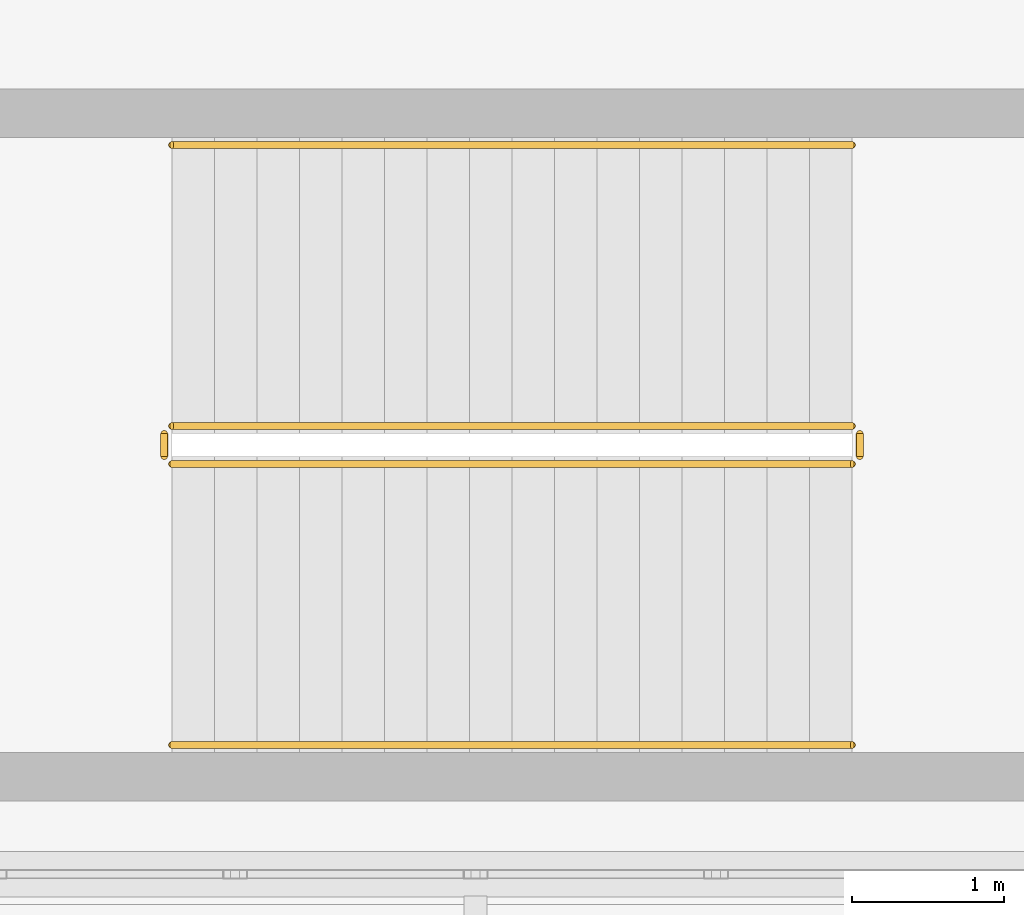
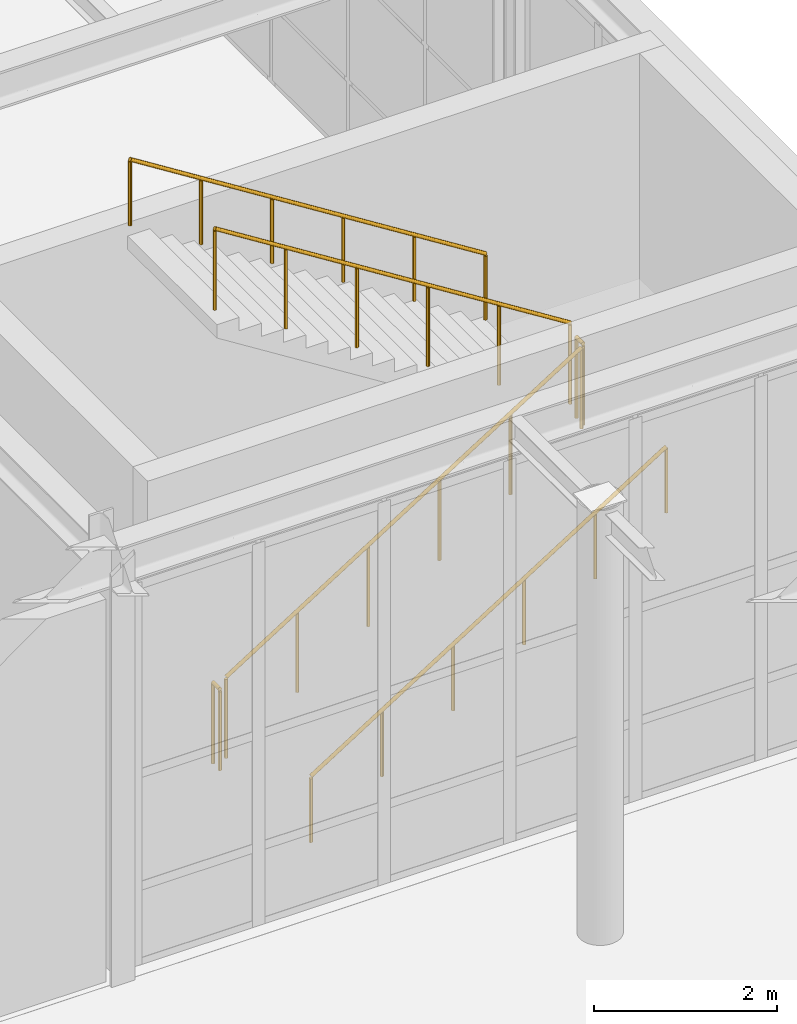
# One storey, part 141 of 146: 6 railings.
"""IFC4 building model written with IfcOpenShell, lengths in metres."""

from ifc_helpers import new_model, si_unit, direction, frame, origin, origin_2d, place, context, subcontext, project, spatial, circle, extrude, material, type_object, element, save


model = new_model("IFC4")

# Units and contexts
model_context = context("Model", 3, precision=1e-05, world=origin(), true_north=direction((0.0, 1.0)))
body_context = subcontext(model_context, "Body", "Model", "MODEL_VIEW")
ifc_project = project(units=[si_unit("LENGTHUNIT", "METRE"), si_unit("AREAUNIT", "SQUARE_METRE"), si_unit("VOLUMEUNIT", "CUBIC_METRE"), si_unit("PLANEANGLEUNIT", "RADIAN"), si_unit("MASSUNIT", "GRAM", prefix="KILO")], contexts=[model_context])

# Site, building, storey
site_placement = place(None, origin())
site = spatial("IfcSite", under=ifc_project, at=site_placement, CompositionType="ELEMENT")
building_placement = place(site_placement, origin())
building = spatial("IfcBuilding", under=site, at=building_placement, Name="Kaldris Quays Convention Centre", CompositionType="ELEMENT")
storey_placement = place(building_placement, origin())
storey = spatial("IfcBuildingStorey", under=building, at=storey_placement, Name="L00", CompositionType="ELEMENT", Elevation=0.0)

# Railings
ifc_material_1 = material(Name="Steel S355J2", Category="steel")
railing_type_1 = type_object("IfcRailingType", Name="INTERIOR GUARDRAIL GR01", PredefinedType="GUARDRAIL", material=ifc_material_1)
railing_1_placement = place(storey_placement, frame((197.0, 22.699951171875, 0.176513671875)))
element("IfcRailing", 1, at=railing_1_placement, inside=storey, type_object=railing_type_1, Name="L00 ST16 Stair Guardrail 1", PredefinedType="GUARDRAIL", context=body_context, shape_type="SweptSolid", body=[
    extrude(circle(Radius=0.02392578125, at=origin_2d()), frame((0.0, 0.0, 1.076171875), z_axis=(0.845997938375, 0.0, 0.533186166611), x_axis=(0.0, 1.0, 0.0)), (0.0, 0.0, 1.0), 5.29541015625),
    extrude(circle(Radius=0.02099609375, at=origin_2d()), origin(), (0.0, 0.0, 1.0), 1.052001953125),
    extrude(circle(Radius=0.02099609375, at=origin_2d()), frame((0.89599609375, 0.0, 0.564697265625)), (0.0, 0.0, 1.0), 1.052001953125),
    extrude(circle(Radius=0.02099609375, at=origin_2d()), frame((1.7919921875, 0.0, 1.12939453125)), (0.0, 0.0, 1.0), 1.052001953125),
    extrude(circle(Radius=0.02099609375, at=origin_2d()), frame((2.68798828125, 0.0, 1.694091796875)), (0.0, 0.0, 1.0), 1.052001953125),
    extrude(circle(Radius=0.02099609375, at=origin_2d()), frame((3.583984375, 0.0, 2.2587890625)), (0.0, 0.0, 1.0), 1.052001953125),
    extrude(circle(Radius=0.02099609375, at=origin_2d()), frame((4.47998046875, 0.0, 2.823486328125)), (0.0, 0.0, 1.0), 1.052001953125),
])
railing_2_placement = place(storey_placement, frame((201.530029296875, 22.75, 3.0)))
element("IfcRailing", 2, at=railing_2_placement, inside=storey, type_object=railing_type_1, Name="L00 ST16 Stair Guardrail 2", PredefinedType="GUARDRAIL", context=body_context, shape_type="SweptSolid", body=[
    extrude(circle(Radius=0.02392578125, at=origin_2d()), frame((0.0, 0.0, 1.076171875), z_axis=(0.0, 1.0, 0.0), x_axis=(-1.0, 0.0, 0.0)), (0.0, 0.0, 1.0), 0.14990234375),
    extrude(circle(Radius=0.02099609375, at=origin_2d()), origin(), (0.0, 0.0, 1.0), 1.052001953125),
    extrude(circle(Radius=0.02099609375, at=origin_2d()), frame((0.0, 0.14990234375, 0.0)), (0.0, 0.0, 1.0), 1.052001953125),
])
railing_3_placement = place(storey_placement, frame((201.47998046875, 22.949951171875, 3.176513671875)))
element("IfcRailing", 3, at=railing_3_placement, inside=storey, type_object=railing_type_1, Name="L00 ST16 Stair Guardrail 3", PredefinedType="GUARDRAIL", context=body_context, shape_type="SweptSolid", body=[
    extrude(circle(Radius=0.02392578125, at=origin_2d()), frame((0.0, 0.0, 1.076171875), z_axis=(-0.845997938375, 0.0, 0.533186166611), x_axis=(0.0, -1.0, 0.0)), (0.0, 0.0, 1.0), 5.29541015625),
    extrude(circle(Radius=0.02099609375, at=origin_2d()), origin(), (0.0, 0.0, 1.0), 1.052001953125),
    extrude(circle(Radius=0.02099609375, at=origin_2d()), frame((-0.89599609375, 0.0, 0.564697265625)), (0.0, 0.0, 1.0), 1.052001953125),
    extrude(circle(Radius=0.02099609375, at=origin_2d()), frame((-1.7919921875, 0.0, 1.12939453125)), (0.0, 0.0, 1.0), 1.052001953125),
    extrude(circle(Radius=0.02099609375, at=origin_2d()), frame((-2.68798828125, 0.0, 1.694091796875)), (0.0, 0.0, 1.0), 1.052001953125),
    extrude(circle(Radius=0.02099609375, at=origin_2d()), frame((-3.583984375, 0.0, 2.2587890625)), (0.0, 0.0, 1.0), 1.052001953125),
    extrude(circle(Radius=0.02099609375, at=origin_2d()), frame((-4.47998046875, 0.0, 2.823486328125)), (0.0, 0.0, 1.0), 1.052001953125),
])
railing_4_placement = place(storey_placement, frame((196.949951171875, 22.75, 0.0)))
element("IfcRailing", 4, at=railing_4_placement, inside=storey, type_object=railing_type_1, Name="L00 ST16 Stair Guardrail 4", PredefinedType="GUARDRAIL", context=body_context, shape_type="SweptSolid", body=[
    extrude(circle(Radius=0.02392578125, at=origin_2d()), frame((0.0, 0.0, 1.076171875), z_axis=(0.0, 1.0, 0.0), x_axis=(-1.0, 0.0, 0.0)), (0.0, 0.0, 1.0), 0.14990234375),
    extrude(circle(Radius=0.02099609375, at=origin_2d()), origin(), (0.0, 0.0, 1.0), 1.052001953125),
    extrude(circle(Radius=0.02099609375, at=origin_2d()), frame((0.0, 0.14990234375, 0.0)), (0.0, 0.0, 1.0), 1.052001953125),
])
ifc_material_2 = material(Name="Stainless steel 1.4301", Category="steel")
railing_type_2 = type_object("IfcRailingType", Name="STAIR HANDRAIL HR01", PredefinedType="HANDRAIL", material=ifc_material_2)
railing_5_placement = place(storey_placement, frame((197.0, 20.85009765625, 0.176513671875)))
element("IfcRailing", 5, at=railing_5_placement, inside=storey, type_object=railing_type_2, Name="L00 ST16 Flight Handrail 1", PredefinedType="HANDRAIL", context=body_context, shape_type="SweptSolid", body=[
    extrude(circle(Radius=0.02392578125, at=origin_2d()), frame((0.0, 0.0, 0.8759765625), z_axis=(0.845997938375, 0.0, 0.533186166611), x_axis=(0.0, 1.0, 0.0)), (0.0, 0.0, 1.0), 5.29541015625),
    extrude(circle(Radius=0.02099609375, at=origin_2d()), origin(), (0.0, 0.0, 1.0), 0.851806640625),
    extrude(circle(Radius=0.02099609375, at=origin_2d()), frame((0.89599609375, 0.0, 0.564697265625)), (0.0, 0.0, 1.0), 0.851806640625),
    extrude(circle(Radius=0.02099609375, at=origin_2d()), frame((1.7919921875, 0.0, 1.12939453125)), (0.0, 0.0, 1.0), 0.851806640625),
    extrude(circle(Radius=0.02099609375, at=origin_2d()), frame((2.68798828125, 0.0, 1.694091796875)), (0.0, 0.0, 1.0), 0.851806640625),
    extrude(circle(Radius=0.02099609375, at=origin_2d()), frame((3.583984375, 0.0, 2.2587890625)), (0.0, 0.0, 1.0), 0.851806640625),
    extrude(circle(Radius=0.02099609375, at=origin_2d()), frame((4.47998046875, 0.0, 2.823486328125)), (0.0, 0.0, 1.0), 0.851806640625),
])
railing_6_placement = place(storey_placement, frame((201.47998046875, 24.800048828125, 3.176513671875)))
element("IfcRailing", 6, at=railing_6_placement, inside=storey, type_object=railing_type_2, Name="L00 ST16 Flight Handrail 2", PredefinedType="HANDRAIL", context=body_context, shape_type="SweptSolid", body=[
    extrude(circle(Radius=0.02392578125, at=origin_2d()), frame((0.0, 0.0, 0.8759765625), z_axis=(-0.845997938375, 0.0, 0.533186166611), x_axis=(0.0, -1.0, 0.0)), (0.0, 0.0, 1.0), 5.29541015625),
    extrude(circle(Radius=0.02099609375, at=origin_2d()), origin(), (0.0, 0.0, 1.0), 0.851806640625),
    extrude(circle(Radius=0.02099609375, at=origin_2d()), frame((-0.89599609375, 0.0, 0.564697265625)), (0.0, 0.0, 1.0), 0.851806640625),
    extrude(circle(Radius=0.02099609375, at=origin_2d()), frame((-1.7919921875, 0.0, 1.12939453125)), (0.0, 0.0, 1.0), 0.851806640625),
    extrude(circle(Radius=0.02099609375, at=origin_2d()), frame((-2.68798828125, 0.0, 1.694091796875)), (0.0, 0.0, 1.0), 0.851806640625),
    extrude(circle(Radius=0.02099609375, at=origin_2d()), frame((-3.583984375, 0.0, 2.2587890625)), (0.0, 0.0, 1.0), 0.851806640625),
    extrude(circle(Radius=0.02099609375, at=origin_2d()), frame((-4.47998046875, 0.0, 2.823486328125)), (0.0, 0.0, 1.0), 0.851806640625),
])

save(model, "model.ifc")
